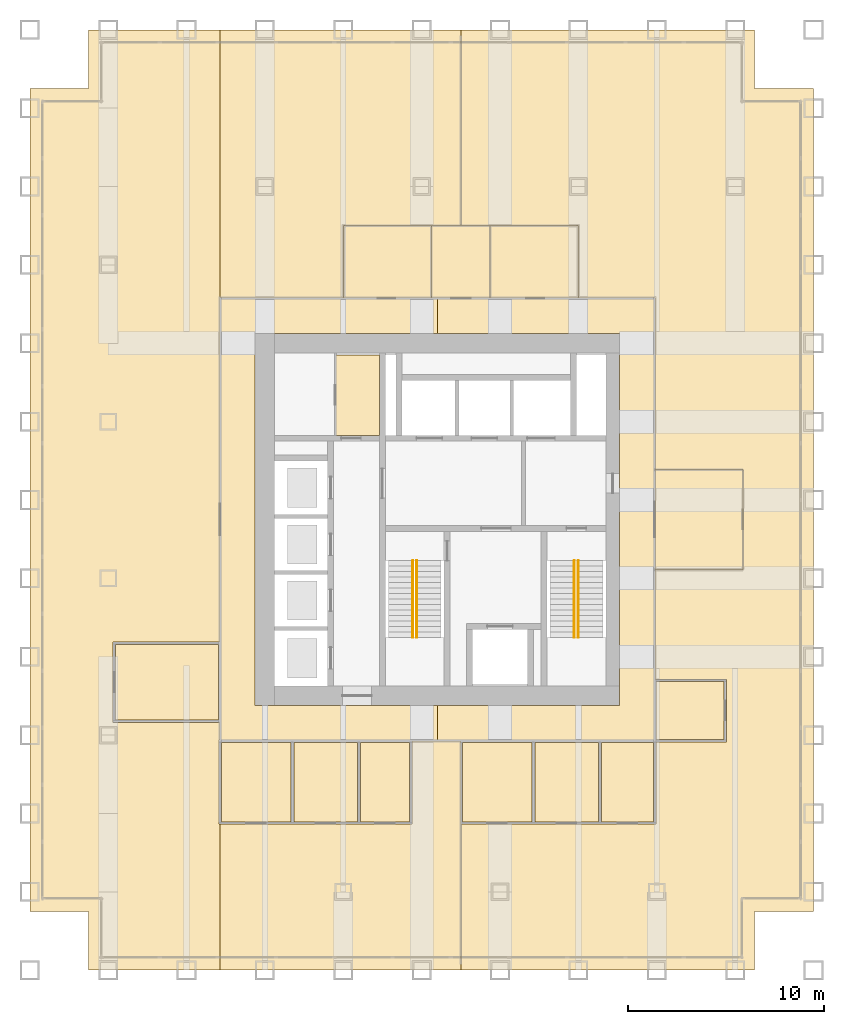
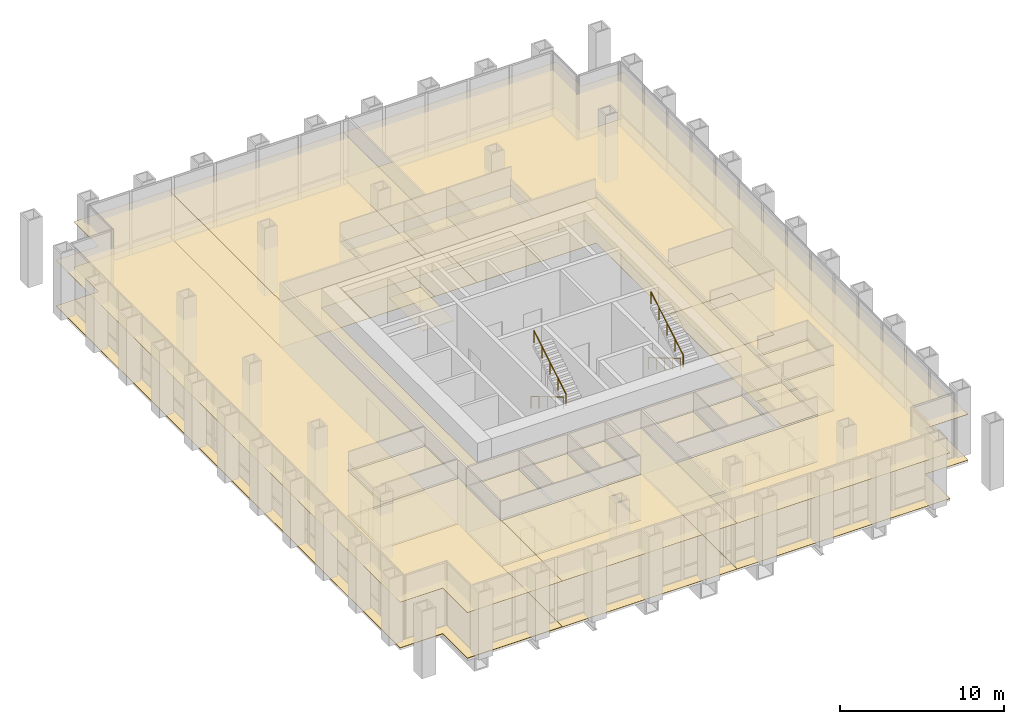
# One storey, part 12 of 13: 35 coverings, 4 railings.
"""IFC4 building model written with IfcOpenShell, lengths in metres."""

from ifc_helpers import new_model, si_unit, direction, frame, origin, origin_2d, place, context, subcontext, project, spatial, polyline, circle, outline, extrude, material, layer, layer_set, type_object, element, save


model = new_model("IFC4")

# Units and contexts
model_context = context("Model", 3, precision=1e-05, world=origin(), true_north=direction((0.0, 1.0)))
body_context = subcontext(model_context, "Body", "Model", "MODEL_VIEW")
ifc_project = project(units=[si_unit("LENGTHUNIT", "METRE"), si_unit("AREAUNIT", "SQUARE_METRE"), si_unit("VOLUMEUNIT", "CUBIC_METRE"), si_unit("PLANEANGLEUNIT", "RADIAN"), si_unit("MASSUNIT", "GRAM", prefix="KILO")], contexts=[model_context])

# Site, building, storey
site_placement = place(None, origin())
site = spatial("IfcSite", under=ifc_project, at=site_placement, CompositionType="ELEMENT")
building_placement = place(site_placement, origin())
building = spatial("IfcBuilding", under=site, at=building_placement, Name="Rimbunsela Tower", CompositionType="ELEMENT")
storey_placement = place(building_placement, frame((0.0, 0.0, 142.800048828125)))
storey = spatial("IfcBuildingStorey", under=building, at=storey_placement, Name="L34", CompositionType="ELEMENT", Elevation=142.800048828125)

# Coverings
ifc_material_1 = material(Name="Nylon carpet tile", Category="textile")
ifc_layer_1 = layer(ifc_material_1, 0.010009765625)
ifc_layer_set_1 = layer_set([ifc_layer_1], Name="Carpet tile 10")
covering_type_1 = type_object("IfcCoveringType", Name="Carpet tile 10", PredefinedType="FLOORING", material=ifc_layer_set_1)
covering_1_placement = place(storey_placement, origin())
element("IfcCovering", 1, at=covering_1_placement, inside=storey, type_object=covering_type_1, Name="Floor finish Business centre", PredefinedType="FLOORING", context=body_context, shape_type="SweptSolid", body=[
    extrude(outline(polyline([(19.449951171875, 11.449951171875), (22.75, 11.449951171875), (22.85009765625, 11.449951171875), (25.5, 11.449951171875), (25.5, 15.699951171875), (27.9990234375, 15.699951171875), (27.9990234375, 4.0), (15.699951171875, 4.0), (15.699951171875, 11.449951171875), (19.35009765625, 11.449951171875), (19.449951171875, 11.449951171875)])), origin(), (0.0, 0.0, 1.0), 0.010009765625),
])
covering_2_placement = place(storey_placement, origin())
element("IfcCovering", 2, at=covering_2_placement, inside=storey, type_object=covering_type_1, Name="Floor finish Business centre", PredefinedType="FLOORING", context=body_context, shape_type="SweptSolid", body=[
    extrude(outline(polyline([(27.9990234375, 42.0), (22.0, 42.0), (22.0, 38.300048828125), (15.699951171875, 38.300048828125), (15.699951171875, 52.0), (27.9990234375, 52.0), (27.9990234375, 42.0)])), origin(), (0.0, 0.0, 1.0), 0.010009765625),
])
covering_3_placement = place(storey_placement, origin())
element("IfcCovering", 3, at=covering_3_placement, inside=storey, type_object=covering_type_1, Name="Floor finish Open office", PredefinedType="FLOORING", context=body_context, shape_type="SweptSolid", body=[
    extrude(outline(polyline([(28.0009765625, 11.449951171875), (31.65087890625, 11.449951171875), (31.7509765625, 11.449951171875), (35.051025390625, 11.449951171875), (35.15087890625, 11.449951171875), (37.89990234375, 11.449951171875), (37.949951171875, 11.449951171875), (37.949951171875, 15.64990234375), (41.550048828125, 15.64990234375), (41.550048828125, 18.85009765625), (37.89990234375, 18.85009765625), (37.89990234375, 24.449951171875), (42.39990234375, 24.449951171875), (42.39990234375, 29.550048828125), (37.89990234375, 29.550048828125), (37.89990234375, 38.300048828125), (34.0, 38.300048828125), (34.0, 42.0), (28.0009765625, 42.0), (28.0009765625, 52.0), (37.89990234375, 52.0), (43.0, 52.0), (43.0, 49.0), (46.0, 49.0), (46.0, 7.0), (43.0, 7.0), (43.0, 4.0), (37.89990234375, 4.0), (28.0009765625, 4.0), (28.0009765625, 11.449951171875)])), origin(), (0.0, 0.0, 1.0), 0.010009765625),
])
covering_4_placement = place(storey_placement, origin())
element("IfcCovering", 4, at=covering_4_placement, inside=storey, type_object=covering_type_1, Name="Floor finish Reception", PredefinedType="FLOORING", context=body_context, shape_type="SweptSolid", body=[
    extrude(outline(polyline([(42.39990234375, 24.449951171875), (42.39990234375, 29.550048828125), (37.89990234375, 29.550048828125), (37.89990234375, 24.449951171875), (42.39990234375, 24.449951171875)])), origin(), (0.0, 0.0, 1.0), 0.010009765625),
])
covering_5_placement = place(storey_placement, origin())
element("IfcCovering", 5, at=covering_5_placement, inside=storey, type_object=covering_type_1, Name="Floor finish Meeting room", PredefinedType="FLOORING", context=body_context, shape_type="SweptSolid", body=[
    extrude(outline(polyline([(19.324951171875, 11.574951171875), (19.324951171875, 15.625), (15.77490234375, 15.625), (15.77490234375, 11.574951171875), (19.324951171875, 11.574951171875)])), origin(), (0.0, 0.0, 1.0), 0.010009765625),
])
covering_6_placement = place(storey_placement, origin())
element("IfcCovering", 6, at=covering_6_placement, inside=storey, type_object=covering_type_1, Name="Floor finish Pantry", PredefinedType="FLOORING", context=body_context, shape_type="SweptSolid", body=[
    extrude(outline(polyline([(22.72509765625, 11.574951171875), (22.72509765625, 15.625), (19.47509765625, 15.625), (19.47509765625, 11.574951171875), (22.72509765625, 11.574951171875)])), origin(), (0.0, 0.0, 1.0), 0.010009765625),
])
covering_7_placement = place(storey_placement, origin())
element("IfcCovering", 7, at=covering_7_placement, inside=storey, type_object=covering_type_1, Name="Floor finish Print and copy room", PredefinedType="FLOORING", context=body_context, shape_type="SweptSolid", body=[
    extrude(outline(polyline([(25.375, 11.574951171875), (25.375, 15.625), (22.875, 15.625), (22.875, 11.574951171875), (25.375, 11.574951171875)])), origin(), (0.0, 0.0, 1.0), 0.010009765625),
])
covering_8_placement = place(storey_placement, origin())
element("IfcCovering", 8, at=covering_8_placement, inside=storey, type_object=covering_type_1, Name="Floor finish Serviced office", PredefinedType="FLOORING", context=body_context, shape_type="SweptSolid", body=[
    extrude(outline(polyline([(15.625, 16.77490234375), (15.625, 20.625), (10.375, 20.625), (10.375, 16.77490234375), (15.625, 16.77490234375)])), origin(), (0.0, 0.0, 1.0), 0.010009765625),
])
covering_9_placement = place(storey_placement, origin())
element("IfcCovering", 9, at=covering_9_placement, inside=storey, type_object=covering_type_1, Name="Floor finish Meeting room", PredefinedType="FLOORING", context=body_context, shape_type="SweptSolid", body=[
    extrude(outline(polyline([(31.6259765625, 11.574951171875), (31.6259765625, 15.625), (28.075927734375, 15.625), (28.075927734375, 11.574951171875), (31.6259765625, 11.574951171875)])), origin(), (0.0, 0.0, 1.0), 0.010009765625),
])
covering_10_placement = place(storey_placement, origin())
element("IfcCovering", 10, at=covering_10_placement, inside=storey, type_object=covering_type_1, Name="Floor finish Pantry", PredefinedType="FLOORING", context=body_context, shape_type="SweptSolid", body=[
    extrude(outline(polyline([(35.02587890625, 11.574951171875), (35.02587890625, 15.625), (31.77587890625, 15.625), (31.77587890625, 11.574951171875), (35.02587890625, 11.574951171875)])), origin(), (0.0, 0.0, 1.0), 0.010009765625),
])
covering_11_placement = place(storey_placement, origin())
element("IfcCovering", 11, at=covering_11_placement, inside=storey, type_object=covering_type_1, Name="Floor finish Print and copy room", PredefinedType="FLOORING", context=body_context, shape_type="SweptSolid", body=[
    extrude(outline(polyline([(37.824951171875, 11.574951171875), (37.824951171875, 15.625), (35.176025390625, 15.625), (35.176025390625, 11.574951171875), (37.824951171875, 11.574951171875)])), origin(), (0.0, 0.0, 1.0), 0.010009765625),
])
covering_12_placement = place(storey_placement, origin())
element("IfcCovering", 12, at=covering_12_placement, inside=storey, type_object=covering_type_1, Name="Floor finish Office", PredefinedType="FLOORING", context=body_context, shape_type="SweptSolid", body=[
    extrude(outline(polyline([(41.425048828125, 15.77490234375), (41.425048828125, 18.72509765625), (37.97509765625, 18.72509765625), (37.97509765625, 15.77490234375), (41.425048828125, 15.77490234375)])), origin(), (0.0, 0.0, 1.0), 0.010009765625),
])
ifc_material_2 = material(Name="Mineral fibre ceiling tile", Category="gypsum")
ifc_layer_2 = layer(ifc_material_2, 0.02001953125)
ifc_layer_set_2 = layer_set([ifc_layer_2], Name="Ceiling 600 grid")
covering_type_2 = type_object("IfcCoveringType", Name="Ceiling 600 grid", PredefinedType="CEILING", material=ifc_layer_set_2)
covering_13_placement = place(storey_placement, frame((0.0, 0.0, 3.39990234375)))
element("IfcCovering", 13, at=covering_13_placement, inside=storey, type_object=covering_type_2, Name="Ceiling Staff pantry", PredefinedType="CEILING", context=body_context, shape_type="SweptSolid", body=[
    extrude(outline(polyline([(23.85009765625, 31.300048828125), (23.85009765625, 35.39990234375), (21.60009765625, 35.39990234375), (21.60009765625, 31.300048828125), (23.85009765625, 31.300048828125)])), origin(), (0.0, 0.0, 1.0), 0.02001953125),
])
covering_14_placement = place(storey_placement, frame((0.0, 0.0, 3.39990234375)))
element("IfcCovering", 14, at=covering_14_placement, inside=storey, type_object=covering_type_2, Name="Ceiling Ring corridor", PredefinedType="CEILING", context=body_context, shape_type="SweptSolid", body=[
    extrude(outline(polyline([(15.699951171875, 38.300048828125), (26.800048828125, 38.300048828125), (26.800048828125, 36.5), (17.5, 36.5), (17.5, 17.5), (26.800048828125, 17.5), (26.800048828125, 15.699951171875), (15.699951171875, 15.699951171875), (15.699951171875, 38.300048828125)])), origin(), (0.0, 0.0, 1.0), 0.02001953125),
])
covering_15_placement = place(storey_placement, frame((0.0, 0.0, 3.39990234375)))
element("IfcCovering", 15, at=covering_15_placement, inside=storey, type_object=covering_type_2, Name="Ceiling Ring corridor", PredefinedType="CEILING", context=body_context, shape_type="SweptSolid", body=[
    extrude(outline(polyline([(37.89990234375, 38.300048828125), (37.89990234375, 15.699951171875), (26.800048828125, 15.699951171875), (26.800048828125, 17.5), (36.10009765625, 17.5), (36.10009765625, 36.5), (26.800048828125, 36.5), (26.800048828125, 38.300048828125), (37.89990234375, 38.300048828125)])), origin(), (0.0, 0.0, 1.0), 0.02001953125),
])
covering_16_placement = place(storey_placement, frame((0.0, 0.0, 3.39990234375)))
element("IfcCovering", 16, at=covering_16_placement, inside=storey, type_object=covering_type_2, Name="Ceiling Business centre", PredefinedType="CEILING", context=body_context, shape_type="SweptSolid", body=[
    extrude(outline(polyline([(19.449951171875, 11.449951171875), (22.75, 11.449951171875), (22.85009765625, 11.449951171875), (25.5, 11.449951171875), (25.5, 15.699951171875), (27.9990234375, 15.699951171875), (27.9990234375, 4.0), (15.699951171875, 4.0), (15.699951171875, 11.449951171875), (19.35009765625, 11.449951171875), (19.449951171875, 11.449951171875)])), origin(), (0.0, 0.0, 1.0), 0.02001953125),
])
covering_17_placement = place(storey_placement, frame((0.0, 0.0, 3.39990234375)))
element("IfcCovering", 17, at=covering_17_placement, inside=storey, type_object=covering_type_2, Name="Ceiling Business centre", PredefinedType="CEILING", context=body_context, shape_type="SweptSolid", body=[
    extrude(outline(polyline([(27.9990234375, 42.0), (22.0, 42.0), (22.0, 38.300048828125), (15.699951171875, 38.300048828125), (15.699951171875, 52.0), (27.9990234375, 52.0), (27.9990234375, 42.0)])), origin(), (0.0, 0.0, 1.0), 0.02001953125),
])
covering_18_placement = place(storey_placement, frame((0.0, 0.0, 3.39990234375)))
element("IfcCovering", 18, at=covering_18_placement, inside=storey, type_object=covering_type_2, Name="Ceiling Open office", PredefinedType="CEILING", context=body_context, shape_type="SweptSolid", body=[
    extrude(outline(polyline([(28.0009765625, 11.449951171875), (31.65087890625, 11.449951171875), (31.7509765625, 11.449951171875), (35.051025390625, 11.449951171875), (35.15087890625, 11.449951171875), (37.89990234375, 11.449951171875), (37.949951171875, 11.449951171875), (37.949951171875, 15.64990234375), (41.550048828125, 15.64990234375), (41.550048828125, 18.85009765625), (37.89990234375, 18.85009765625), (37.89990234375, 24.449951171875), (42.39990234375, 24.449951171875), (42.39990234375, 29.550048828125), (37.89990234375, 29.550048828125), (37.89990234375, 38.300048828125), (34.0, 38.300048828125), (34.0, 42.0), (28.0009765625, 42.0), (28.0009765625, 52.0), (37.89990234375, 52.0), (43.0, 52.0), (43.0, 49.0), (46.0, 49.0), (46.0, 7.0), (43.0, 7.0), (43.0, 4.0), (37.89990234375, 4.0), (28.0009765625, 4.0), (28.0009765625, 11.449951171875)])), origin(), (0.0, 0.0, 1.0), 0.02001953125),
])
covering_19_placement = place(storey_placement, frame((0.0, 0.0, 3.39990234375)))
element("IfcCovering", 19, at=covering_19_placement, inside=storey, type_object=covering_type_2, Name="Ceiling Reception", PredefinedType="CEILING", context=body_context, shape_type="SweptSolid", body=[
    extrude(outline(polyline([(42.39990234375, 24.449951171875), (42.39990234375, 29.550048828125), (37.89990234375, 29.550048828125), (37.89990234375, 24.449951171875), (42.39990234375, 24.449951171875)])), origin(), (0.0, 0.0, 1.0), 0.02001953125),
])
covering_20_placement = place(storey_placement, frame((0.0, 0.0, 3.39990234375)))
element("IfcCovering", 20, at=covering_20_placement, inside=storey, type_object=covering_type_2, Name="Ceiling Meeting room", PredefinedType="CEILING", context=body_context, shape_type="SweptSolid", body=[
    extrude(outline(polyline([(19.324951171875, 11.574951171875), (19.324951171875, 15.625), (15.77490234375, 15.625), (15.77490234375, 11.574951171875), (19.324951171875, 11.574951171875)])), origin(), (0.0, 0.0, 1.0), 0.02001953125),
])
covering_21_placement = place(storey_placement, frame((0.0, 0.0, 3.39990234375)))
element("IfcCovering", 21, at=covering_21_placement, inside=storey, type_object=covering_type_2, Name="Ceiling Pantry", PredefinedType="CEILING", context=body_context, shape_type="SweptSolid", body=[
    extrude(outline(polyline([(22.72509765625, 11.574951171875), (22.72509765625, 15.625), (19.47509765625, 15.625), (19.47509765625, 11.574951171875), (22.72509765625, 11.574951171875)])), origin(), (0.0, 0.0, 1.0), 0.02001953125),
])
covering_22_placement = place(storey_placement, frame((0.0, 0.0, 3.39990234375)))
element("IfcCovering", 22, at=covering_22_placement, inside=storey, type_object=covering_type_2, Name="Ceiling Print and copy room", PredefinedType="CEILING", context=body_context, shape_type="SweptSolid", body=[
    extrude(outline(polyline([(25.375, 11.574951171875), (25.375, 15.625), (22.875, 15.625), (22.875, 11.574951171875), (25.375, 11.574951171875)])), origin(), (0.0, 0.0, 1.0), 0.02001953125),
])
covering_23_placement = place(storey_placement, frame((0.0, 0.0, 3.39990234375)))
element("IfcCovering", 23, at=covering_23_placement, inside=storey, type_object=covering_type_2, Name="Ceiling Serviced office", PredefinedType="CEILING", context=body_context, shape_type="SweptSolid", body=[
    extrude(outline(polyline([(15.625, 16.77490234375), (15.625, 20.625), (10.375, 20.625), (10.375, 16.77490234375), (15.625, 16.77490234375)])), origin(), (0.0, 0.0, 1.0), 0.02001953125),
])
covering_24_placement = place(storey_placement, frame((0.0, 0.0, 3.39990234375)))
element("IfcCovering", 24, at=covering_24_placement, inside=storey, type_object=covering_type_2, Name="Ceiling Meeting room", PredefinedType="CEILING", context=body_context, shape_type="SweptSolid", body=[
    extrude(outline(polyline([(31.6259765625, 11.574951171875), (31.6259765625, 15.625), (28.075927734375, 15.625), (28.075927734375, 11.574951171875), (31.6259765625, 11.574951171875)])), origin(), (0.0, 0.0, 1.0), 0.02001953125),
])
covering_25_placement = place(storey_placement, frame((0.0, 0.0, 3.39990234375)))
element("IfcCovering", 25, at=covering_25_placement, inside=storey, type_object=covering_type_2, Name="Ceiling Pantry", PredefinedType="CEILING", context=body_context, shape_type="SweptSolid", body=[
    extrude(outline(polyline([(35.02587890625, 11.574951171875), (35.02587890625, 15.625), (31.77587890625, 15.625), (31.77587890625, 11.574951171875), (35.02587890625, 11.574951171875)])), origin(), (0.0, 0.0, 1.0), 0.02001953125),
])
covering_26_placement = place(storey_placement, frame((0.0, 0.0, 3.39990234375)))
element("IfcCovering", 26, at=covering_26_placement, inside=storey, type_object=covering_type_2, Name="Ceiling Print and copy room", PredefinedType="CEILING", context=body_context, shape_type="SweptSolid", body=[
    extrude(outline(polyline([(37.824951171875, 11.574951171875), (37.824951171875, 15.625), (35.176025390625, 15.625), (35.176025390625, 11.574951171875), (37.824951171875, 11.574951171875)])), origin(), (0.0, 0.0, 1.0), 0.02001953125),
])
covering_27_placement = place(storey_placement, frame((0.0, 0.0, 3.39990234375)))
element("IfcCovering", 27, at=covering_27_placement, inside=storey, type_object=covering_type_2, Name="Ceiling Office", PredefinedType="CEILING", context=body_context, shape_type="SweptSolid", body=[
    extrude(outline(polyline([(41.425048828125, 15.77490234375), (41.425048828125, 18.72509765625), (37.97509765625, 18.72509765625), (37.97509765625, 15.77490234375), (41.425048828125, 15.77490234375)])), origin(), (0.0, 0.0, 1.0), 0.02001953125),
])
ifc_material_3 = material(Name="Moisture-resistant plasterboard ceiling", Category="gypsum")
ifc_layer_3 = layer(ifc_material_3, 0.012451171875)
ifc_layer_set_3 = layer_set([ifc_layer_3], Name="Ceiling moisture-resistant board")
covering_type_3 = type_object("IfcCoveringType", Name="Ceiling moisture-resistant board", PredefinedType="CEILING", material=ifc_layer_set_3)
covering_28_placement = place(storey_placement, frame((0.0, 0.0, 2.599853515625)))
element("IfcCovering", 28, at=covering_28_placement, inside=storey, type_object=covering_type_3, Name="Ceiling Female WC", PredefinedType="CEILING", context=body_context, shape_type="SweptSolid", body=[
    extrude(outline(polyline([(26.5, 38.300048828125), (26.5, 42.0), (22.0, 42.0), (22.0, 38.300048828125), (26.5, 38.300048828125)])), origin(), (0.0, 0.0, 1.0), 0.02001953125),
])
covering_29_placement = place(storey_placement, frame((0.0, 0.0, 2.599853515625)))
element("IfcCovering", 29, at=covering_29_placement, inside=storey, type_object=covering_type_3, Name="Ceiling Accessible WC", PredefinedType="CEILING", context=body_context, shape_type="SweptSolid", body=[
    extrude(outline(polyline([(29.5, 38.300048828125), (29.5, 42.0), (26.5, 42.0), (26.5, 38.300048828125), (29.5, 38.300048828125)])), origin(), (0.0, 0.0, 1.0), 0.02001953125),
])
covering_30_placement = place(storey_placement, frame((0.0, 0.0, 2.599853515625)))
element("IfcCovering", 30, at=covering_30_placement, inside=storey, type_object=covering_type_3, Name="Ceiling Male WC", PredefinedType="CEILING", context=body_context, shape_type="SweptSolid", body=[
    extrude(outline(polyline([(34.0, 38.300048828125), (34.0, 42.0), (29.5, 42.0), (29.5, 38.300048828125), (34.0, 38.300048828125)])), origin(), (0.0, 0.0, 1.0), 0.02001953125),
])
ifc_material_4 = material(Name="Timber slat ceiling on suspension grid", Category="wood")
ifc_layer_4 = layer(ifc_material_4, 0.0400390625)
ifc_layer_set_4 = layer_set([ifc_layer_4], Name="Ceiling timber slat")
covering_type_4 = type_object("IfcCoveringType", Name="Ceiling timber slat", PredefinedType="CEILING", material=ifc_layer_set_4)
covering_31_placement = place(storey_placement, frame((0.0, 0.0, 3.39990234375)))
element("IfcCovering", 31, at=covering_31_placement, inside=storey, type_object=covering_type_4, Name="Ceiling Sky lobby", PredefinedType="CEILING", context=body_context, shape_type="SweptSolid", body=[
    extrude(outline(polyline([(15.699951171875, 52.0), (15.699951171875, 38.300048828125), (15.699951171875, 20.75), (10.25, 20.75), (10.25, 16.64990234375), (15.699951171875, 16.64990234375), (15.699951171875, 15.75), (15.64990234375, 15.75), (15.64990234375, 11.449951171875), (15.699951171875, 11.449951171875), (15.699951171875, 4.0), (9.0, 4.0), (9.0, 7.0), (6.0, 7.0), (6.0, 49.0), (9.0, 49.0), (9.0, 52.0), (15.699951171875, 52.0)])), origin(), (0.0, 0.0, 1.0), 0.02001953125),
])
ifc_material_5 = material(Name="Honed granite floor on mortar bed", Category="masonry")
ifc_layer_5 = layer(ifc_material_5, 0.030029296875)
ifc_layer_set_5 = layer_set([ifc_layer_5], Name="Granite floor 30")
covering_type_5 = type_object("IfcCoveringType", Name="Granite floor 30", PredefinedType="FLOORING", material=ifc_layer_set_5)
covering_32_placement = place(storey_placement, origin())
element("IfcCovering", 32, at=covering_32_placement, inside=storey, type_object=covering_type_5, Name="Floor finish Sky lobby", PredefinedType="FLOORING", context=body_context, shape_type="SweptSolid", body=[
    extrude(outline(polyline([(15.699951171875, 52.0), (15.699951171875, 38.300048828125), (15.699951171875, 20.75), (10.25, 20.75), (10.25, 16.64990234375), (15.699951171875, 16.64990234375), (15.699951171875, 15.75), (15.64990234375, 15.75), (15.64990234375, 11.449951171875), (15.699951171875, 11.449951171875), (15.699951171875, 4.0), (9.0, 4.0), (9.0, 7.0), (6.0, 7.0), (6.0, 49.0), (9.0, 49.0), (9.0, 52.0), (15.699951171875, 52.0)])), origin(), (0.0, 0.0, 1.0), 0.030029296875),
])
ifc_material_6 = material(Name="Porcelain floor tile in adhesive bed", Category="ceramic")
ifc_layer_6 = layer(ifc_material_6, 0.02001953125)
ifc_layer_set_6 = layer_set([ifc_layer_6], Name="Porcelain tile 20")
covering_type_6 = type_object("IfcCoveringType", Name="Porcelain tile 20", PredefinedType="FLOORING", material=ifc_layer_set_6)
covering_33_placement = place(storey_placement, origin())
element("IfcCovering", 33, at=covering_33_placement, inside=storey, type_object=covering_type_6, Name="Floor finish Female WC", PredefinedType="FLOORING", context=body_context, shape_type="SweptSolid", body=[
    extrude(outline(polyline([(26.5, 38.300048828125), (26.5, 42.0), (22.0, 42.0), (22.0, 38.300048828125), (26.5, 38.300048828125)])), origin(), (0.0, 0.0, 1.0), 0.02001953125),
])
covering_34_placement = place(storey_placement, origin())
element("IfcCovering", 34, at=covering_34_placement, inside=storey, type_object=covering_type_6, Name="Floor finish Accessible WC", PredefinedType="FLOORING", context=body_context, shape_type="SweptSolid", body=[
    extrude(outline(polyline([(29.5, 38.300048828125), (29.5, 42.0), (26.5, 42.0), (26.5, 38.300048828125), (29.5, 38.300048828125)])), origin(), (0.0, 0.0, 1.0), 0.02001953125),
])
covering_35_placement = place(storey_placement, origin())
element("IfcCovering", 35, at=covering_35_placement, inside=storey, type_object=covering_type_6, Name="Floor finish Male WC", PredefinedType="FLOORING", context=body_context, shape_type="SweptSolid", body=[
    extrude(outline(polyline([(34.0, 38.300048828125), (34.0, 42.0), (29.5, 42.0), (29.5, 38.300048828125), (34.0, 38.300048828125)])), origin(), (0.0, 0.0, 1.0), 0.02001953125),
])

# Railings
ifc_material_7 = material(Name="Stainless steel tube", Category="steel")
railing_type = type_object("IfcRailingType", Name="Stair handrail 900", PredefinedType="HANDRAIL", material=ifc_material_7)
railing_1_placement = place(storey_placement, frame((25.550048828125, 24.89990234375, 0.16650390625)))
element("IfcRailing", 36, at=railing_1_placement, inside=storey, type_object=railing_type, Name="Handrail ST-A flight 1", PredefinedType="HANDRAIL", context=body_context, shape_type="SweptSolid", body=[
    extrude(circle(Radius=0.02392578125, at=origin_2d()), frame((0.0, 0.0, 0.8759765625), z_axis=(0.0, -0.859272722373, 0.511517730471), x_axis=(1.0, 0.0, 0.0)), (0.0, 0.0, 1.0), 4.56201171875),
    extrude(circle(Radius=0.02099609375, at=origin_2d()), origin(), (0.0, 0.0, 1.0), 0.851806640625),
    extrude(circle(Radius=0.02099609375, at=origin_2d()), frame((0.0, -0.97998046875, 0.58349609375)), (0.0, 0.0, 1.0), 0.851806640625),
    extrude(circle(Radius=0.02099609375, at=origin_2d()), frame((0.0, -1.9599609375, 1.166748046875)), (0.0, 0.0, 1.0), 0.851806640625),
    extrude(circle(Radius=0.02099609375, at=origin_2d()), frame((0.0, -2.93994140625, 1.75)), (0.0, 0.0, 1.0), 0.851806640625),
    extrude(circle(Radius=0.02099609375, at=origin_2d()), frame((0.0, -3.919921875, 2.33349609375)), (0.0, 0.0, 1.0), 0.851806640625),
])
railing_2_placement = place(storey_placement, frame((25.75, 20.97998046875, 2.66650390625)))
element("IfcRailing", 37, at=railing_2_placement, inside=storey, type_object=railing_type, Name="Handrail ST-A flight 2", PredefinedType="HANDRAIL", context=body_context, shape_type="SweptSolid", body=[
    extrude(circle(Radius=0.02392578125, at=origin_2d()), frame((0.0, 0.0, 0.8759765625), z_axis=(0.0, 0.859272722373, 0.511517730471), x_axis=(-1.0, 0.0, 0.0)), (0.0, 0.0, 1.0), 4.56201171875),
    extrude(circle(Radius=0.02099609375, at=origin_2d()), origin(), (0.0, 0.0, 1.0), 0.851806640625),
    extrude(circle(Radius=0.02099609375, at=origin_2d()), frame((0.0, 0.97998046875, 0.58349609375)), (0.0, 0.0, 1.0), 0.851806640625),
    extrude(circle(Radius=0.02099609375, at=origin_2d()), frame((0.0, 1.9599609375, 1.166748046875)), (0.0, 0.0, 1.0), 0.851806640625),
    extrude(circle(Radius=0.02099609375, at=origin_2d()), frame((0.0, 2.93994140625, 1.75)), (0.0, 0.0, 1.0), 0.851806640625),
    extrude(circle(Radius=0.02099609375, at=origin_2d()), frame((0.0, 3.919921875, 2.33349609375)), (0.0, 0.0, 1.0), 0.851806640625),
])
railing_3_placement = place(storey_placement, frame((33.800048828125, 24.89990234375, 0.16650390625)))
element("IfcRailing", 38, at=railing_3_placement, inside=storey, type_object=railing_type, Name="Handrail ST-B flight 1", PredefinedType="HANDRAIL", context=body_context, shape_type="SweptSolid", body=[
    extrude(circle(Radius=0.02392578125, at=origin_2d()), frame((0.0, 0.0, 0.8759765625), z_axis=(0.0, -0.859272722373, 0.511517730471), x_axis=(1.0, 0.0, 0.0)), (0.0, 0.0, 1.0), 4.56201171875),
    extrude(circle(Radius=0.02099609375, at=origin_2d()), origin(), (0.0, 0.0, 1.0), 0.851806640625),
    extrude(circle(Radius=0.02099609375, at=origin_2d()), frame((0.0, -0.97998046875, 0.58349609375)), (0.0, 0.0, 1.0), 0.851806640625),
    extrude(circle(Radius=0.02099609375, at=origin_2d()), frame((0.0, -1.9599609375, 1.166748046875)), (0.0, 0.0, 1.0), 0.851806640625),
    extrude(circle(Radius=0.02099609375, at=origin_2d()), frame((0.0, -2.93994140625, 1.75)), (0.0, 0.0, 1.0), 0.851806640625),
    extrude(circle(Radius=0.02099609375, at=origin_2d()), frame((0.0, -3.919921875, 2.33349609375)), (0.0, 0.0, 1.0), 0.851806640625),
])
railing_4_placement = place(storey_placement, frame((34.0, 20.97998046875, 2.66650390625)))
element("IfcRailing", 39, at=railing_4_placement, inside=storey, type_object=railing_type, Name="Handrail ST-B flight 2", PredefinedType="HANDRAIL", context=body_context, shape_type="SweptSolid", body=[
    extrude(circle(Radius=0.02392578125, at=origin_2d()), frame((0.0, 0.0, 0.8759765625), z_axis=(0.0, 0.859272722373, 0.511517730471), x_axis=(-1.0, 0.0, 0.0)), (0.0, 0.0, 1.0), 4.56201171875),
    extrude(circle(Radius=0.02099609375, at=origin_2d()), origin(), (0.0, 0.0, 1.0), 0.851806640625),
    extrude(circle(Radius=0.02099609375, at=origin_2d()), frame((0.0, 0.97998046875, 0.58349609375)), (0.0, 0.0, 1.0), 0.851806640625),
    extrude(circle(Radius=0.02099609375, at=origin_2d()), frame((0.0, 1.9599609375, 1.166748046875)), (0.0, 0.0, 1.0), 0.851806640625),
    extrude(circle(Radius=0.02099609375, at=origin_2d()), frame((0.0, 2.93994140625, 1.75)), (0.0, 0.0, 1.0), 0.851806640625),
    extrude(circle(Radius=0.02099609375, at=origin_2d()), frame((0.0, 3.919921875, 2.33349609375)), (0.0, 0.0, 1.0), 0.851806640625),
])

save(model, "model.ifc")
